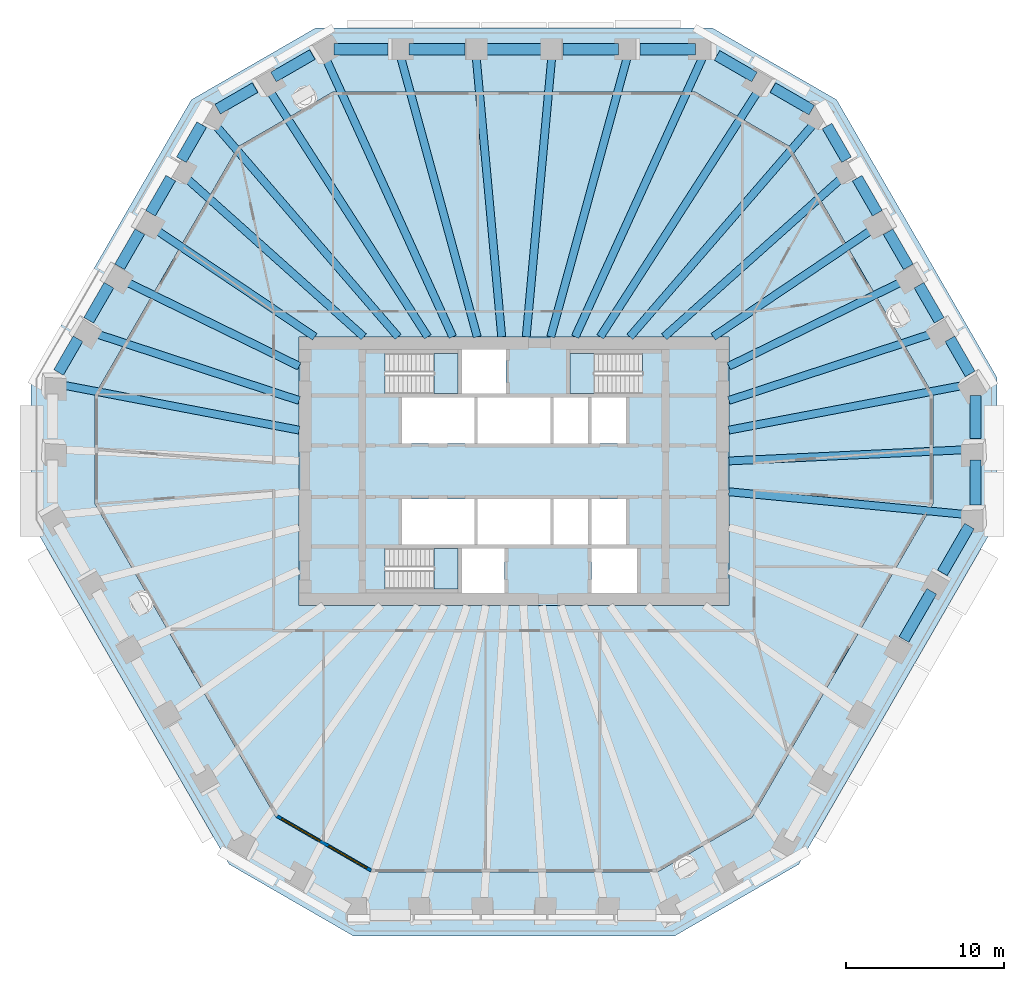
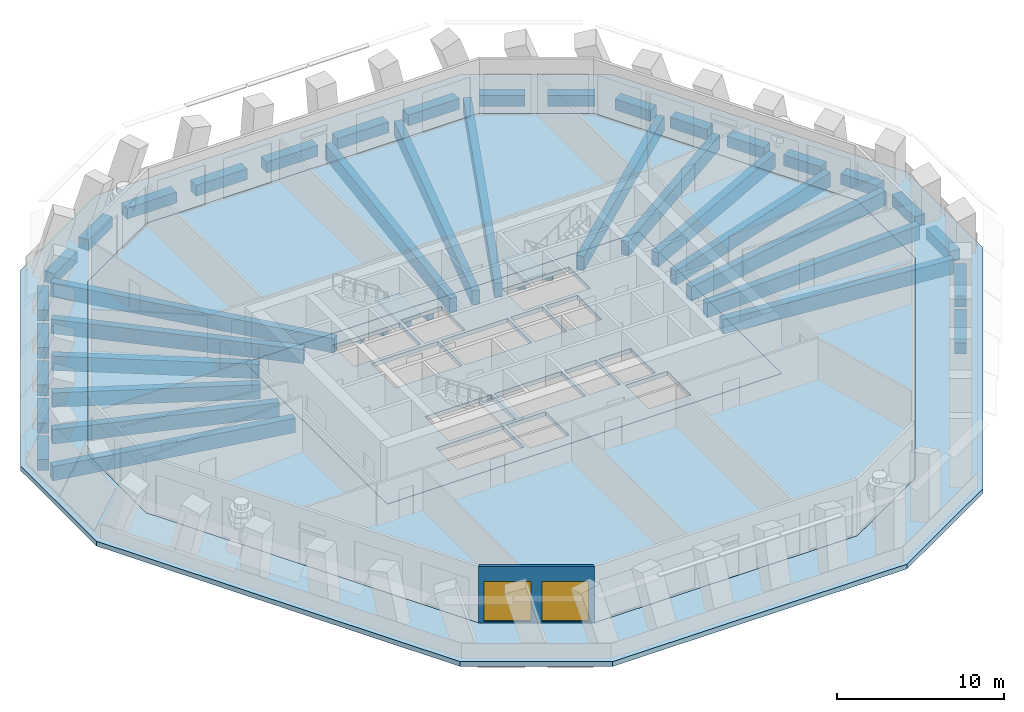
# One storey, part 2 of 12: 45 beams, 6 slabs, 2 windows, 1 wall, 2 openings, 3 elements without a shape of their own.
"""IFC4 building model written with IfcOpenShell, lengths in metres."""

import ifcopenshell
import ifcopenshell.guid

model = None  # the IFC model being written
_history = None  # IfcOwnerHistory: only IFC2X3 demands one
_inside = {}  # id of a spatial element -> (the spatial element, [elements in it])
_under = {}  # id of a project, library or spatial element -> (it, [spatial elements below it])
_declared = {}  # id of a project -> (the project, [libraries it declares])
_typed = {}  # id of a type object -> (the type object, [elements of that type])
_made_of = {}  # id of a material, layer set ... -> (it, [elements and type objects made of it])


def new_model(schema):
    """Start an empty IFC model of exactly this schema.

    Asked for "IFC4X3", IfcOpenShell would pick the latest addendum, in which some entities
    have other attributes; the version numbers below select the first issue.
    IFC2X3 requires an IfcOwnerHistory on every rooted entity: one is made here for all.
    """
    global model, _history
    if schema == "IFC4X3":
        model = ifcopenshell.file(schema_version=(4, 3, 0, 0))
    else:
        model = ifcopenshell.file(schema=schema)
    _inside.clear()
    _under.clear()
    _declared.clear()
    _typed.clear()
    _made_of.clear()
    _history = None
    if model.schema == "IFC2X3":
        org = make("IfcOrganization", Name="unknown")
        user = make(
            "IfcPersonAndOrganization",
            ThePerson=make("IfcPerson", FamilyName="unknown"),
            TheOrganization=org,
        )
        app = make(
            "IfcApplication",
            ApplicationDeveloper=org,
            Version="unknown",
            ApplicationFullName="unknown",
            ApplicationIdentifier="unknown",
        )
        _history = make(
            "IfcOwnerHistory",
            OwningUser=user,
            OwningApplication=app,
            ChangeAction="ADDED",
            CreationDate=0,
        )
    return model


def make(cls, **values):
    """One entity of the class cls with the attributes given. An attribute that is None is left unset."""
    return model.create_entity(
        cls, **{name: value for name, value in values.items() if value is not None}
    )


def rooted(cls, **values):
    """An entity with a GlobalId (a new one), such as an element, a storey or a relation."""
    return make(cls, GlobalId=ifcopenshell.guid.new(), OwnerHistory=_history, **values)


def si_unit(unit_type, name, prefix=None):
    """IfcSIUnit, for example si_unit("LENGTHUNIT", "METRE", prefix="MILLI")."""
    return make("IfcSIUnit", UnitType=unit_type, Prefix=prefix, Name=name)


def assignment(units):
    """IfcUnitAssignment: the units of a project."""
    return None if units is None else make("IfcUnitAssignment", Units=units)


def point(xyz):
    """IfcCartesianPoint."""
    return None if xyz is None else make("IfcCartesianPoint", Coordinates=xyz)


def direction(xyz):
    """IfcDirection."""
    return None if xyz is None else make("IfcDirection", DirectionRatios=xyz)


def frame(location, z_axis=None, x_axis=None):
    """IfcAxis2Placement3D, a coordinate frame: its origin and axes. An axis left out is left unset."""
    return make(
        "IfcAxis2Placement3D",
        Location=point(location),
        Axis=direction(z_axis),
        RefDirection=direction(x_axis),
    )


def frame_2d(location, x_axis=None):
    """IfcAxis2Placement2D, a coordinate frame in the plane: its origin and x axis."""
    return make(
        "IfcAxis2Placement2D", Location=point(location), RefDirection=direction(x_axis)
    )


def origin():
    """The frame at (0, 0, 0) with its axes left unset."""
    return frame((0.0, 0.0, 0.0))


def origin_2d():
    """The frame at (0, 0) in the plane with its x axis left unset."""
    return frame_2d((0.0, 0.0))


def place(relative_to, where):
    """IfcLocalPlacement: puts the frame where relative to a parent placement (None: the world)."""
    return make(
        "IfcLocalPlacement", PlacementRelTo=relative_to, RelativePlacement=where
    )


def context(
    kind, dimensions, precision=None, world=None, true_north=None, identifier=None
):
    """IfcGeometricRepresentationContext, for example the 3D "Model" context."""
    return make(
        "IfcGeometricRepresentationContext",
        ContextIdentifier=identifier,
        ContextType=kind,
        CoordinateSpaceDimension=dimensions,
        Precision=precision,
        WorldCoordinateSystem=world,
        TrueNorth=true_north,
    )


def subcontext(parent, identifier, kind, view, scale=None):
    """IfcGeometricRepresentationSubContext, for example "Body" below "Model"."""
    return make(
        "IfcGeometricRepresentationSubContext",
        ContextIdentifier=identifier,
        ContextType=kind,
        ParentContext=parent,
        TargetScale=scale,
        TargetView=view,
    )


def project(units=None, contexts=None):
    """IfcProject with its units and contexts."""
    return rooted(
        "IfcProject",
        Name="project",
        RepresentationContexts=contexts,
        UnitsInContext=assignment(units),
    )


def spatial(cls, under=None, at=None, **own):
    """A site, building, storey or space (cls), placed at a placement, below another one or the project."""
    s = rooted(cls, ObjectPlacement=at, **own)
    if under is not None:
        _under.setdefault(under.id(), (under, []))[1].append(s)
    return s


def polyline(points):
    """IfcPolyline through the points."""
    return make("IfcPolyline", Points=[point(p) for p in points])


def profile(cls, at=None, kind="AREA", **sizes):
    """A parametric profile (cls). Its sizes go by their IFC names, for example OverallWidth=200.0."""
    return make(cls, ProfileType=kind, Position=at, **sizes)


def rectangle(**sizes):
    """IfcRectangleProfileDef."""
    return profile("IfcRectangleProfileDef", **sizes)


def outline(outer, holes=None, kind="AREA"):
    """IfcArbitraryClosedProfileDef: a profile drawn as a closed curve; with holes, ...WithVoids."""
    if holes is None:
        return make("IfcArbitraryClosedProfileDef", ProfileType=kind, OuterCurve=outer)
    return make(
        "IfcArbitraryProfileDefWithVoids",
        ProfileType=kind,
        OuterCurve=outer,
        InnerCurves=holes,
    )


def extrude(swept, where, along, depth):
    """IfcExtrudedAreaSolid: the profile swept, set in the frame where, extruded along a direction by depth."""
    return make(
        "IfcExtrudedAreaSolid",
        SweptArea=swept,
        Position=where,
        ExtrudedDirection=direction(along),
        Depth=depth,
    )


def shape(context_of_items, identifier, shape_type, items):
    """IfcShapeRepresentation: the items that make up one representation, for example the "Body"."""
    return make(
        "IfcShapeRepresentation",
        ContextOfItems=context_of_items,
        RepresentationIdentifier=identifier,
        RepresentationType=shape_type,
        Items=items,
    )


def material(Name=None, Category=None):
    """IfcMaterial."""
    return make("IfcMaterial", Name=Name, Category=Category)


def layer(
    of_material, thickness, ventilated=None, Name=None, Category=None, Priority=None
):
    """IfcMaterialLayer: one layer of a wall or slab, of a material (None: an air gap)."""
    return make(
        "IfcMaterialLayer",
        Material=of_material,
        LayerThickness=thickness,
        IsVentilated=ventilated,
        Name=Name,
        Category=Category,
        Priority=Priority,
    )


def layer_set(layers, Name=None):
    """IfcMaterialLayerSet."""
    return make("IfcMaterialLayerSet", MaterialLayers=layers, LayerSetName=Name)


def material_profile(
    of_material, cross_section, Name=None, Category=None, Priority=None
):
    """IfcMaterialProfile: a cross section and its material."""
    return make(
        "IfcMaterialProfile",
        Name=Name,
        Material=of_material,
        Profile=cross_section,
        Priority=Priority,
        Category=Category,
    )


def profile_set(profiles, Name=None, composite=None):
    """IfcMaterialProfileSet."""
    return make(
        "IfcMaterialProfileSet",
        Name=Name,
        MaterialProfiles=profiles,
        CompositeProfile=composite,
    )


def made_of(thing, what):
    """Note that an element or type object is made of a material, layer set ...; save() writes the relation."""
    if what is not None:
        _made_of.setdefault(what.id(), (what, []))[1].append(thing)
    return thing


def type_object(cls, material=None, **own):
    """A type object (cls), such as IfcWallType, which elements share."""
    return made_of(rooted(cls, **own), material)


def element(
    cls,
    number,
    at=None,
    inside=None,
    cuts=None,
    type_object=None,
    material=None,
    context=None,
    identifier="Body",
    shape_type=None,
    held_by="IfcProductDefinitionShape",
    body=None,
    shapes=None,
    **own,
):
    """One element of the class cls, such as IfcWall. Its Tag is "e" and its number.

    at: its placement. inside: the storey or other place that contains it. cuts: it is an
    opening in that element (IfcRelVoidsElement). A single representation is given by context,
    identifier, shape_type and body (its items); several are given by shapes. held_by: the class
    of the entity that holds the representations. save() writes the other relations.
    """
    e = rooted(cls, Tag="e%d" % number, ObjectPlacement=at, **own)
    if body is not None:
        shapes = [shape(context, identifier, shape_type, body)]
    if shapes is not None:
        e.Representation = make(held_by, Representations=shapes)
    if inside is not None:
        _inside.setdefault(inside.id(), (inside, []))[1].append(e)
    if cuts is not None:
        rooted(
            "IfcRelVoidsElement", RelatingBuildingElement=cuts, RelatedOpeningElement=e
        )
    if type_object is not None:
        _typed.setdefault(type_object.id(), (type_object, []))[1].append(e)
    return made_of(e, material)


def fill(opening, filler):
    """IfcRelFillsElement: the door or window that sits in an opening."""
    return rooted(
        "IfcRelFillsElement",
        RelatingOpeningElement=opening,
        RelatedBuildingElement=filler,
    )


def aggregate(whole, parts):
    """IfcRelAggregates: a whole, such as a stair, and the parts it consists of."""
    return rooted("IfcRelAggregates", RelatingObject=whole, RelatedObjects=parts)


def save(model, path):
    """Write the relations noted so far, then the file.

    IfcRelAggregates (storeys below a building ...), IfcRelContainedInSpatialStructure (elements
    in a storey), IfcRelDefinesByType, IfcRelAssociatesMaterial and IfcRelDeclares: one each for
    every whole, place, type object, material and project.
    """
    for whole, parts in _under.values():
        aggregate(whole, parts)
    for where, things in _inside.values():
        rooted(
            "IfcRelContainedInSpatialStructure",
            RelatedElements=things,
            RelatingStructure=where,
        )
    for kind, things in _typed.values():
        rooted("IfcRelDefinesByType", RelatedObjects=things, RelatingType=kind)
    for what, things in _made_of.values():
        rooted("IfcRelAssociatesMaterial", RelatedObjects=things, RelatingMaterial=what)
    for by, libraries in _declared.values():
        rooted("IfcRelDeclares", RelatingContext=by, RelatedDefinitions=libraries)
    model.write(path)


model = new_model("IFC4")

# Units and contexts
model_context = context("Model", 3, precision=1e-05, world=origin(), true_north=direction((0.0, 1.0)))
body_context = subcontext(model_context, "Body", "Model", "MODEL_VIEW")
ifc_project = project(units=[si_unit("LENGTHUNIT", "METRE"), si_unit("AREAUNIT", "SQUARE_METRE"), si_unit("VOLUMEUNIT", "CUBIC_METRE"), si_unit("PLANEANGLEUNIT", "RADIAN"), si_unit("MASSUNIT", "GRAM", prefix="KILO")], contexts=[model_context])

# Site, building, storey
site_placement = place(None, origin())
site = spatial("IfcSite", under=ifc_project, at=site_placement, CompositionType="ELEMENT")
building_placement = place(site_placement, origin())
building = spatial("IfcBuilding", under=site, at=building_placement, Name="Frailejon Research Tower", CompositionType="ELEMENT")
storey_placement = place(building_placement, frame((0.0, 0.0, 135.199951171875)))
storey = spatial("IfcBuildingStorey", under=building, at=storey_placement, Name="L29", CompositionType="ELEMENT", Elevation=135.199951171875)

# Beams
ifc_material_1 = material(Name="Concrete C60/75", Category="concrete")
ifc_material_profile_1 = material_profile(ifc_material_1, rectangle(XDim=0.5, YDim=1.050048828125, at=origin_2d()), Name="Girder 500x1050")
ifc_profile_set_1 = profile_set([ifc_material_profile_1], Name="Concrete C60/75")
beam_type_1 = type_object("IfcBeamType", Name="Girder 500x1050", PredefinedType="BEAM", material=ifc_profile_set_1)
beam_1_placement = place(storey_placement, frame((28.685302734375, -2.75439453125, -0.824951171875), z_axis=(-0.995421682896, 0.095580715736, 0.0), x_axis=(-0.095580715736, -0.995421682896, 0.0)))
element("IfcBeam", 1, at=beam_1_placement, inside=storey, type_object=beam_type_1, Name="Girder 500x1050", PredefinedType="BEAM", context=body_context, shape_type="SweptSolid", body=[
    extrude(rectangle(XDim=0.5, YDim=1.050048828125, at=origin_2d()), origin(), (0.0, 0.0, 1.0), 15.154541015625),
])
beam_2_placement = place(storey_placement, frame((28.685791015625, 1.35791015625, -0.824951171875), z_axis=(-0.998881484069, -0.047284043646, 0.0), x_axis=(0.047284043646, -0.998881484069, 0.0)))
element("IfcBeam", 2, at=beam_2_placement, inside=storey, type_object=beam_type_1, Name="Girder 500x1050", PredefinedType="BEAM", context=body_context, shape_type="SweptSolid", body=[
    extrude(rectangle(XDim=0.5, YDim=1.050048828125, at=origin_2d()), origin(), (0.0, 0.0, 1.0), 15.1025390625),
])
beam_3_placement = place(storey_placement, frame((28.65625, 5.464599609375, -0.824951171875), z_axis=(-0.982299508461, -0.187317045881, 0.0), x_axis=(0.187317045881, -0.982299508461, 0.0)))
element("IfcBeam", 3, at=beam_3_placement, inside=storey, type_object=beam_type_1, Name="Girder 500x1050", PredefinedType="BEAM", context=body_context, shape_type="SweptSolid", body=[
    extrude(rectangle(XDim=0.5, YDim=1.050048828125, at=origin_2d()), origin(), (0.0, 0.0, 1.0), 15.327392578125),
])
beam_4_placement = place(storey_placement, frame((26.7421875, 8.790283203125, -0.824951171875), z_axis=(-0.949989871685, -0.312280712975, 0.0), x_axis=(0.312280712975, -0.949989871685, 0.0)))
element("IfcBeam", 4, at=beam_4_placement, inside=storey, type_object=beam_type_1, Name="Girder 500x1050", PredefinedType="BEAM", context=body_context, shape_type="SweptSolid", body=[
    extrude(rectangle(XDim=0.5, YDim=1.050048828125, at=origin_2d()), origin(), (0.0, 0.0, 1.0), 13.833984375),
])
beam_5_placement = place(storey_placement, frame((24.8251953125, 12.1162109375, -0.824951171875), z_axis=(-0.898678258454, -0.438608467522, 0.0), x_axis=(0.438608467522, -0.898678258454, 0.0)))
element("IfcBeam", 5, at=beam_5_placement, inside=storey, type_object=beam_type_1, Name="Girder 500x1050", PredefinedType="BEAM", context=body_context, shape_type="SweptSolid", body=[
    extrude(rectangle(XDim=0.5, YDim=1.050048828125, at=origin_2d()), origin(), (0.0, 0.0, 1.0), 12.49072265625),
])
beam_6_placement = place(storey_placement, frame((22.905517578125, 15.441162109375, -0.824951171875), z_axis=(-0.829186990789, -0.558971317964, 0.0), x_axis=(0.558971317964, -0.829186990789, 0.0)))
element("IfcBeam", 6, at=beam_6_placement, inside=storey, type_object=beam_type_1, Name="Girder 500x1050", PredefinedType="BEAM", context=body_context, shape_type="SweptSolid", body=[
    extrude(rectangle(XDim=0.5, YDim=1.050048828125, at=origin_2d()), origin(), (0.0, 0.0, 1.0), 12.417724609375),
])
beam_7_placement = place(storey_placement, frame((20.983642578125, 18.764404296875, -0.824951171875), z_axis=(-0.745422911023, -0.666591841926, 0.0), x_axis=(0.666591841926, -0.745422911023, 0.0)))
element("IfcBeam", 7, at=beam_7_placement, inside=storey, type_object=beam_type_1, Name="Girder 500x1050", PredefinedType="BEAM", context=body_context, shape_type="SweptSolid", body=[
    extrude(rectangle(XDim=0.5, YDim=1.050048828125, at=origin_2d()), origin(), (0.0, 0.0, 1.0), 15.3984375),
])
beam_8_placement = place(storey_placement, frame((19.07861328125, 22.105712890625, -0.824951171875), z_axis=(-0.65337403375, -0.757035251505, 0.0), x_axis=(0.757035251505, -0.65337403375, 0.0)))
element("IfcBeam", 8, at=beam_8_placement, inside=storey, type_object=beam_type_1, Name="Girder 500x1050", PredefinedType="BEAM", context=body_context, shape_type="SweptSolid", body=[
    extrude(rectangle(XDim=0.5, YDim=1.050048828125, at=origin_2d()), origin(), (0.0, 0.0, 1.0), 17.972412109375),
])
beam_9_placement = place(storey_placement, frame((15.51904296875, 24.163818359375, -0.824951171875), z_axis=(-0.540394975615, -0.84141147504, 0.0), x_axis=(0.84141147504, -0.540394975615, 0.0)))
element("IfcBeam", 9, at=beam_9_placement, inside=storey, type_object=beam_type_1, Name="Girder 500x1050", PredefinedType="BEAM", context=body_context, shape_type="SweptSolid", body=[
    extrude(rectangle(XDim=0.5, YDim=1.050048828125, at=origin_2d()), origin(), (0.0, 0.0, 1.0), 18.6162109375),
])
beam_10_placement = place(storey_placement, frame((11.930908203125, 26.16162109375, -0.824951171875), z_axis=(-0.41493120596, -0.90985278717, 0.0), x_axis=(0.90985278717, -0.41493120596, 0.0)))
element("IfcBeam", 10, at=beam_10_placement, inside=storey, type_object=beam_type_1, Name="Girder 500x1050", PredefinedType="BEAM", context=body_context, shape_type="SweptSolid", body=[
    extrude(rectangle(XDim=0.5, YDim=1.050048828125, at=origin_2d()), origin(), (0.0, 0.0, 1.0), 19.41162109375),
])
beam_11_placement = place(storey_placement, frame((7.160888671875, 26.169677734375, -0.824951171875), z_axis=(-0.263940506276, -0.964538961964, 0.0), x_axis=(0.964538961964, -0.263940506276, 0.0)))
element("IfcBeam", 11, at=beam_11_placement, inside=storey, type_object=beam_type_1, Name="Girder 500x1050", PredefinedType="BEAM", context=body_context, shape_type="SweptSolid", body=[
    extrude(rectangle(XDim=0.5, YDim=1.050048828125, at=origin_2d()), origin(), (0.0, 0.0, 1.0), 18.3193359375),
])
for number, where, z_axis, x_axis, name in (
    (12, (2.387451171875, 26.17431640625, -0.824951171875), (-0.090832176828, -0.995866213732, 0.0), (0.995866213732, -0.090832176828, 0.0), "Girder 500x1050"),
    (13, (-2.387451171875, 26.17431640625, -0.824951171875), (0.090832176828, -0.995866213732, 0.0), (0.995866213732, 0.090832176828, 0.0), "Girder 500x1050"),
):
    element("IfcBeam", number, at=place(storey_placement, frame(where, z_axis=z_axis, x_axis=x_axis)), inside=storey, type_object=beam_type_1, Name=name, PredefinedType="BEAM", context=body_context, shape_type="SweptSolid", body=[
        extrude(rectangle(XDim=0.5, YDim=1.050048828125, at=origin_2d()), origin(), (0.0, 0.0, 1.0), 17.747802734375),
    ])
beam_12_placement = place(storey_placement, frame((-7.160888671875, 26.169677734375, -0.824951171875), z_axis=(0.263940506276, -0.964538961964, 0.0), x_axis=(0.964538961964, 0.263940506276, 0.0)))
element("IfcBeam", 14, at=beam_12_placement, inside=storey, type_object=beam_type_1, Name="Girder 500x1050", PredefinedType="BEAM", context=body_context, shape_type="SweptSolid", body=[
    extrude(rectangle(XDim=0.5, YDim=1.050048828125, at=origin_2d()), origin(), (0.0, 0.0, 1.0), 18.3193359375),
])
beam_13_placement = place(storey_placement, frame((-11.95751953125, 26.219482421875, -0.824951171875), z_axis=(0.414940732798, -0.90984844247, 0.0), x_axis=(0.90984844247, 0.414940732798, 0.0)))
element("IfcBeam", 15, at=beam_13_placement, inside=storey, type_object=beam_type_1, Name="Girder 500x1050", PredefinedType="BEAM", context=body_context, shape_type="SweptSolid", body=[
    extrude(rectangle(XDim=0.5, YDim=1.050048828125, at=origin_2d()), origin(), (0.0, 0.0, 1.0), 19.47509765625),
])
beam_14_placement = place(storey_placement, frame((-15.51904296875, 24.163818359375, -0.824951171875), z_axis=(0.540394975615, -0.84141147504, 0.0), x_axis=(0.84141147504, 0.540394975615, 0.0)))
element("IfcBeam", 16, at=beam_14_placement, inside=storey, type_object=beam_type_1, Name="Girder 500x1050", PredefinedType="BEAM", context=body_context, shape_type="SweptSolid", body=[
    extrude(rectangle(XDim=0.5, YDim=1.050048828125, at=origin_2d()), origin(), (0.0, 0.0, 1.0), 18.6162109375),
])
beam_15_placement = place(storey_placement, frame((-19.060546875, 22.084716796875, -0.824951171875), z_axis=(0.653375780133, -0.757033744252, 0.0), x_axis=(0.757033744252, 0.653375780133, 0.0)))
element("IfcBeam", 17, at=beam_15_placement, inside=storey, type_object=beam_type_1, Name="Girder 500x1050", PredefinedType="BEAM", context=body_context, shape_type="SweptSolid", body=[
    extrude(rectangle(XDim=0.5, YDim=1.050048828125, at=origin_2d()), origin(), (0.0, 0.0, 1.0), 17.944580078125),
])
beam_16_placement = place(storey_placement, frame((-20.983642578125, 18.764404296875, -0.824951171875), z_axis=(0.745422911023, -0.666591841926, 0.0), x_axis=(0.666591841926, 0.745422911023, 0.0)))
element("IfcBeam", 18, at=beam_16_placement, inside=storey, type_object=beam_type_1, Name="Girder 500x1050", PredefinedType="BEAM", context=body_context, shape_type="SweptSolid", body=[
    extrude(rectangle(XDim=0.5, YDim=1.050048828125, at=origin_2d()), origin(), (0.0, 0.0, 1.0), 15.3984375),
])
beam_17_placement = place(storey_placement, frame((-22.905517578125, 15.441162109375, -0.824951171875), z_axis=(0.829186990789, -0.558971317964, 0.0), x_axis=(0.558971317964, 0.829186990789, 0.0)))
element("IfcBeam", 19, at=beam_17_placement, inside=storey, type_object=beam_type_1, Name="Girder 500x1050", PredefinedType="BEAM", context=body_context, shape_type="SweptSolid", body=[
    extrude(rectangle(XDim=0.5, YDim=1.050048828125, at=origin_2d()), origin(), (0.0, 0.0, 1.0), 12.417724609375),
])
beam_18_placement = place(storey_placement, frame((-24.8251953125, 12.1162109375, -0.824951171875), z_axis=(0.898678258454, -0.438608467522, 0.0), x_axis=(0.438608467522, 0.898678258454, 0.0)))
element("IfcBeam", 20, at=beam_18_placement, inside=storey, type_object=beam_type_1, Name="Girder 500x1050", PredefinedType="BEAM", context=body_context, shape_type="SweptSolid", body=[
    extrude(rectangle(XDim=0.5, YDim=1.050048828125, at=origin_2d()), origin(), (0.0, 0.0, 1.0), 12.49072265625),
])
beam_19_placement = place(storey_placement, frame((-26.7421875, 8.790283203125, -0.824951171875), z_axis=(0.949989871685, -0.312280712975, 0.0), x_axis=(0.312280712975, 0.949989871685, 0.0)))
element("IfcBeam", 21, at=beam_19_placement, inside=storey, type_object=beam_type_1, Name="Girder 500x1050", PredefinedType="BEAM", context=body_context, shape_type="SweptSolid", body=[
    extrude(rectangle(XDim=0.5, YDim=1.050048828125, at=origin_2d()), origin(), (0.0, 0.0, 1.0), 13.833984375),
])
beam_20_placement = place(storey_placement, frame((-28.683349609375, 5.4697265625, -0.824951171875), z_axis=(0.982299996606, -0.187314486007, 0.0), x_axis=(0.187314486007, 0.982299996606, 0.0)))
element("IfcBeam", 22, at=beam_20_placement, inside=storey, type_object=beam_type_1, Name="Girder 500x1050", PredefinedType="BEAM", context=body_context, shape_type="SweptSolid", body=[
    extrude(rectangle(XDim=0.5, YDim=1.050048828125, at=origin_2d()), origin(), (0.0, 0.0, 1.0), 15.35498046875),
])
ifc_material_2 = material(Name="Concrete C60/75", Category="concrete")
ifc_material_profile_2 = material_profile(ifc_material_2, rectangle(XDim=0.699951171875, YDim=0.800048828125, at=origin_2d()), Name="Spandrel 700x800")
ifc_profile_set_2 = profile_set([ifc_material_profile_2], Name="Concrete C60/75")
beam_type_2 = type_object("IfcBeamType", Name="Spandrel 700x800", PredefinedType="BEAM", material=ifc_profile_set_2)
beam_21_placement = place(storey_placement, frame((29.211181640625, -2.1298828125, -0.75), z_axis=(0.0, 1.0, 0.0), x_axis=(-1.0, 0.0, 0.0)))
element("IfcBeam", 23, at=beam_21_placement, inside=storey, type_object=beam_type_2, Name="Spandrel 700x800", PredefinedType="BEAM", context=body_context, shape_type="SweptSolid", body=[
    extrude(rectangle(XDim=0.699951171875, YDim=0.800048828125, at=origin_2d()), origin(), (0.0, 0.0, 1.0), 2.837646484375),
])
beam_22_placement = place(storey_placement, frame((29.211181640625, 2.057861328125, -0.75), z_axis=(0.0, 1.0, 0.0), x_axis=(-1.0, 0.0, 0.0)))
element("IfcBeam", 24, at=beam_22_placement, inside=storey, type_object=beam_type_2, Name="Spandrel 700x800", PredefinedType="BEAM", context=body_context, shape_type="SweptSolid", body=[
    extrude(rectangle(XDim=0.699951171875, YDim=0.800048828125, at=origin_2d()), origin(), (0.0, 0.0, 1.0), 2.733154296875),
])
beam_23_placement = place(storey_placement, frame((28.87353515625, 6.15478515625, -0.75), z_axis=(-0.499991857942, 0.866030104553, 0.0), x_axis=(-0.866030104553, -0.499991857942, 0.0)))
element("IfcBeam", 25, at=beam_23_placement, inside=storey, type_object=beam_type_2, Name="Spandrel 700x800", PredefinedType="BEAM", context=body_context, shape_type="SweptSolid", body=[
    extrude(rectangle(XDim=0.699951171875, YDim=0.800048828125, at=origin_2d()), origin(), (0.0, 0.0, 1.0), 2.5625),
])
beam_24_placement = place(storey_placement, frame((26.917236328125, 9.543212890625, -0.75), z_axis=(-0.499950606877, 0.866053919039, 0.0), x_axis=(-0.866053919039, -0.499950606877, 0.0)))
element("IfcBeam", 26, at=beam_24_placement, inside=storey, type_object=beam_type_2, Name="Spandrel 700x800", PredefinedType="BEAM", context=body_context, shape_type="SweptSolid", body=[
    extrude(rectangle(XDim=0.699951171875, YDim=0.800048828125, at=origin_2d()), origin(), (0.0, 0.0, 1.0), 2.562744140625),
])
for number, where, z_axis, x_axis, name in (
    (27, (24.9609375, 12.931884765625, -0.75), (-0.50003311468, 0.866006284171, 0.0), (-0.866006284171, -0.50003311468, 0.0), "Spandrel 700x800"),
    (28, (23.004638671875, 16.3203125, -0.75), (-0.50003311468, 0.866006284171, 0.0), (-0.866006284171, -0.50003311468, 0.0), "Spandrel 700x800"),
):
    element("IfcBeam", number, at=place(storey_placement, frame(where, z_axis=z_axis, x_axis=x_axis)), inside=storey, type_object=beam_type_2, Name=name, PredefinedType="BEAM", context=body_context, shape_type="SweptSolid", body=[
        extrude(rectangle(XDim=0.699951171875, YDim=0.800048828125, at=origin_2d()), origin(), (0.0, 0.0, 1.0), 2.562255859375),
    ])
beam_25_placement = place(storey_placement, frame((21.04833984375, 19.70849609375, -0.75), z_axis=(-0.499963176624, 0.866046662726, 0.0), x_axis=(-0.866046662726, -0.499963176624, 0.0)))
element("IfcBeam", 29, at=beam_25_placement, inside=storey, type_object=beam_type_2, Name="Spandrel 700x800", PredefinedType="BEAM", context=body_context, shape_type="SweptSolid", body=[
    extrude(rectangle(XDim=0.699951171875, YDim=0.800048828125, at=origin_2d()), origin(), (0.0, 0.0, 1.0), 2.458251953125),
])
beam_26_placement = place(storey_placement, frame((18.844970703125, 22.849853515625, -0.75), z_axis=(-0.865989280058, 0.500062562911, 0.0), x_axis=(-0.500062562911, -0.865989280058, 0.0)))
element("IfcBeam", 30, at=beam_26_placement, inside=storey, type_object=beam_type_2, Name="Spandrel 700x800", PredefinedType="BEAM", context=body_context, shape_type="SweptSolid", body=[
    extrude(rectangle(XDim=0.699951171875, YDim=0.800048828125, at=origin_2d()), origin(), (0.0, 0.0, 1.0), 2.837646484375),
])
beam_27_placement = place(storey_placement, frame((15.218505859375, 24.943603515625, -0.75), z_axis=(-0.866002615699, 0.500039468044, 0.0), x_axis=(-0.500039468044, -0.866002615699, 0.0)))
element("IfcBeam", 31, at=beam_27_placement, inside=storey, type_object=beam_type_2, Name="Spandrel 700x800", PredefinedType="BEAM", context=body_context, shape_type="SweptSolid", body=[
    extrude(rectangle(XDim=0.699951171875, YDim=0.800048828125, at=origin_2d()), origin(), (0.0, 0.0, 1.0), 2.733154296875),
])
for number, where, z_axis, x_axis, name in (
    (32, (11.50146484375, 26.699951171875, -0.75), (-1.0, 0.0, 0.0), (0.0, -1.0, 0.0), "Spandrel 700x800"),
    (33, (6.630859375, 26.699951171875, -0.75), (-1.0, 0.0, 0.0), (0.0, -1.0, 0.0), "Spandrel 700x800"),
    (34, (1.76025390625, 26.699951171875, -0.75), (-1.0, 0.0, 0.0), (0.0, -1.0, 0.0), "Spandrel 700x800"),
    (35, (-3.1103515625, 26.699951171875, -0.75), (-1.0, 0.0, 0.0), (0.0, -1.0, 0.0), "Spandrel 700x800"),
):
    element("IfcBeam", number, at=place(storey_placement, frame(where, z_axis=z_axis, x_axis=x_axis)), inside=storey, type_object=beam_type_2, Name=name, PredefinedType="BEAM", context=body_context, shape_type="SweptSolid", body=[
        extrude(rectangle(XDim=0.699951171875, YDim=0.800048828125, at=origin_2d()), origin(), (0.0, 0.0, 1.0), 3.5205078125),
    ])
beam_28_placement = place(storey_placement, frame((-7.98095703125, 26.699951171875, -0.75), z_axis=(-1.0, 0.0, 0.0), x_axis=(0.0, -1.0, 0.0)))
element("IfcBeam", 36, at=beam_28_placement, inside=storey, type_object=beam_type_2, Name="Spandrel 700x800", PredefinedType="BEAM", context=body_context, shape_type="SweptSolid", body=[
    extrude(rectangle(XDim=0.699951171875, YDim=0.800048828125, at=origin_2d()), origin(), (0.0, 0.0, 1.0), 3.416259765625),
])
beam_29_placement = place(storey_placement, frame((-12.760986328125, 26.362548828125, -0.75), z_axis=(-0.866010792954, -0.500025305846, 0.0), x_axis=(0.500025305846, -0.866010792954, 0.0)))
element("IfcBeam", 37, at=beam_29_placement, inside=storey, type_object=beam_type_2, Name="Spandrel 700x800", PredefinedType="BEAM", context=body_context, shape_type="SweptSolid", body=[
    extrude(rectangle(XDim=0.699951171875, YDim=0.800048828125, at=origin_2d()), origin(), (0.0, 0.0, 1.0), 2.837646484375),
])
beam_30_placement = place(storey_placement, frame((-16.3876953125, 24.268798828125, -0.75), z_axis=(-0.866002615699, -0.500039468044, 0.0), x_axis=(0.500039468044, -0.866002615699, 0.0)))
element("IfcBeam", 38, at=beam_30_placement, inside=storey, type_object=beam_type_2, Name="Spandrel 700x800", PredefinedType="BEAM", context=body_context, shape_type="SweptSolid", body=[
    extrude(rectangle(XDim=0.699951171875, YDim=0.800048828125, at=origin_2d()), origin(), (0.0, 0.0, 1.0), 2.733154296875),
])
beam_31_placement = place(storey_placement, frame((-19.76708984375, 21.927734375, -0.75), z_axis=(-0.499991857942, -0.866030104553, 0.0), x_axis=(0.866030104553, -0.499991857942, 0.0)))
element("IfcBeam", 39, at=beam_31_placement, inside=storey, type_object=beam_type_2, Name="Spandrel 700x800", PredefinedType="BEAM", context=body_context, shape_type="SweptSolid", body=[
    extrude(rectangle(XDim=0.699951171875, YDim=0.800048828125, at=origin_2d()), origin(), (0.0, 0.0, 1.0), 2.5625),
])
for number, where, z_axis, x_axis, name in (
    (40, (-21.723388671875, 18.539306640625, -0.75), (-0.50003311468, -0.866006284171, 0.0), (0.866006284171, -0.50003311468, 0.0), "Spandrel 700x800"),
    (41, (-23.6796875, 15.15087890625, -0.75), (-0.50003311468, -0.866006284171, 0.0), (0.866006284171, -0.50003311468, 0.0), "Spandrel 700x800"),
):
    element("IfcBeam", number, at=place(storey_placement, frame(where, z_axis=z_axis, x_axis=x_axis)), inside=storey, type_object=beam_type_2, Name=name, PredefinedType="BEAM", context=body_context, shape_type="SweptSolid", body=[
        extrude(rectangle(XDim=0.699951171875, YDim=0.800048828125, at=origin_2d()), origin(), (0.0, 0.0, 1.0), 2.562255859375),
    ])
beam_32_placement = place(storey_placement, frame((-25.635986328125, 11.7626953125, -0.75), z_axis=(-0.499950606877, -0.866053919039, 0.0), x_axis=(0.866053919039, -0.499950606877, 0.0)))
element("IfcBeam", 42, at=beam_32_placement, inside=storey, type_object=beam_type_2, Name="Spandrel 700x800", PredefinedType="BEAM", context=body_context, shape_type="SweptSolid", body=[
    extrude(rectangle(XDim=0.699951171875, YDim=0.800048828125, at=origin_2d()), origin(), (0.0, 0.0, 1.0), 2.562744140625),
])
beam_33_placement = place(storey_placement, frame((-27.59228515625, 8.3740234375, -0.75), z_axis=(-0.500006183238, -0.866021833861, 0.0), x_axis=(0.866021833861, -0.500006183238, 0.0)))
element("IfcBeam", 43, at=beam_33_placement, inside=storey, type_object=beam_type_2, Name="Spandrel 700x800", PredefinedType="BEAM", context=body_context, shape_type="SweptSolid", body=[
    extrude(rectangle(XDim=0.699951171875, YDim=0.800048828125, at=origin_2d()), origin(), (0.0, 0.0, 1.0), 2.4580078125),
])
beam_34_placement = place(storey_placement, frame((24.677978515625, -10.656494140625, -0.75), z_axis=(0.499972564782, 0.866041242935, 0.0), x_axis=(-0.866041242935, 0.499972564782, 0.0)))
element("IfcBeam", 44, at=beam_34_placement, inside=storey, type_object=beam_type_2, Name="Spandrel 700x800", PredefinedType="BEAM", context=body_context, shape_type="SweptSolid", body=[
    extrude(rectangle(XDim=0.699951171875, YDim=0.800048828125, at=origin_2d()), origin(), (0.0, 0.0, 1.0), 3.520751953125),
])
beam_35_placement = place(storey_placement, frame((27.11328125, -6.438232421875, -0.75), z_axis=(0.499982281718, 0.866035633198, 0.0), x_axis=(-0.866035633198, 0.499982281718, 0.0)))
element("IfcBeam", 45, at=beam_35_placement, inside=storey, type_object=beam_type_2, Name="Spandrel 700x800", PredefinedType="BEAM", context=body_context, shape_type="SweptSolid", body=[
    extrude(rectangle(XDim=0.699951171875, YDim=0.800048828125, at=origin_2d()), origin(), (0.0, 0.0, 1.0), 3.416015625),
])

# Slabs
ifc_material_3 = material(Name="Concrete C60/75", Category="concrete")
ifc_layer_1 = layer(ifc_material_3, 0.300048828125)
ifc_layer_set_1 = layer_set([ifc_layer_1], Name="Core floor slab 300 C60/75")
slab_type_1 = type_object("IfcSlabType", Name="Core floor slab 300 C60/75", PredefinedType="FLOOR", material=ifc_layer_set_1)
slab_1_placement = place(storey_placement, frame((0.0, 0.0, -0.300048828125)))
element("IfcSlab", 46, at=slab_1_placement, inside=storey, type_object=slab_type_1, Name="Core floor slab", PredefinedType="FLOOR", context=body_context, shape_type="SweptSolid", body=[
    extrude(outline(polyline([(13.60009765625, -8.5), (13.60009765625, 8.5), (-13.60009765625, 8.5), (-13.60009765625, -8.5), (13.60009765625, -8.5)]), holes=[polyline([(-2.5, 1.75), (-2.5, 4.64990234375), (-7.10009765625, 4.64990234375), (-7.10009765625, 1.75), (-2.5, 1.75)]), polyline([(2.300048828125, 1.75), (2.300048828125, 4.64990234375), (-2.300048828125, 4.64990234375), (-2.300048828125, 1.75), (2.300048828125, 1.75)]), polyline([(4.699951171875, 1.75), (4.699951171875, 4.64990234375), (2.5, 4.64990234375), (2.5, 1.75), (4.699951171875, 1.75)]), polyline([(7.10009765625, 1.75), (7.10009765625, 4.64990234375), (4.89990234375, 4.64990234375), (4.89990234375, 1.75), (7.10009765625, 1.75)]), polyline([(-2.5, -4.64990234375), (-2.5, -1.75), (-7.10009765625, -1.75), (-7.10009765625, -4.64990234375), (-2.5, -4.64990234375)]), polyline([(2.300048828125, -4.64990234375), (2.300048828125, -1.75), (-2.300048828125, -1.75), (-2.300048828125, -4.64990234375), (2.300048828125, -4.64990234375)]), polyline([(4.699951171875, -4.64990234375), (4.699951171875, -1.75), (2.5, -1.75), (2.5, -4.64990234375), (4.699951171875, -4.64990234375)]), polyline([(7.10009765625, -4.64990234375), (7.10009765625, -1.75), (4.89990234375, -1.75), (4.89990234375, -4.64990234375), (7.10009765625, -4.64990234375)]), polyline([(-8.14697265625, 4.89990234375), (-3.550048828125, 4.89990234375), (-3.550048828125, 7.449951171875), (-8.14697265625, 7.449951171875), (-8.14697265625, 4.89990234375)]), polyline([(-8.14697265625, -7.449951171875), (-3.550048828125, -7.449951171875), (-3.550048828125, -4.89990234375), (-8.14697265625, -4.89990234375), (-8.14697265625, -7.449951171875)]), polyline([(8.14697265625, 7.449951171875), (3.550048828125, 7.449951171875), (3.550048828125, 4.89990234375), (8.14697265625, 4.89990234375), (8.14697265625, 7.449951171875)]), polyline([(-0.60009765625, -7.699951171875), (-0.60009765625, -4.89990234375), (-3.300048828125, -4.89990234375), (-3.300048828125, -7.699951171875), (-0.60009765625, -7.699951171875)]), polyline([(7.800048828125, -7.699951171875), (7.800048828125, -4.89990234375), (4.89990234375, -4.89990234375), (4.89990234375, -7.699951171875), (7.800048828125, -7.699951171875)]), polyline([(-0.5, 4.89990234375), (-0.5, 7.699951171875), (-3.300048828125, 7.699951171875), (-3.300048828125, 4.89990234375), (-0.5, 4.89990234375)])]), origin(), (0.0, 0.0, 1.0), 0.300048828125),
])
ifc_material_4 = material(Name="Concrete C40/50", Category="concrete")
ifc_layer_2 = layer(ifc_material_4, 0.35009765625)
ifc_layer_set_2 = layer_set([ifc_layer_2], Name="Loggia slab 350")
slab_type_2 = type_object("IfcSlabType", Name="Loggia slab 350", PredefinedType="USERDEFINED", material=ifc_layer_set_2)
slab_2_placement = place(storey_placement, frame((0.0, 0.0, -0.349853515625)))
element("IfcSlab", 47, at=slab_2_placement, inside=storey, type_object=slab_type_2, Name="Loggia slab L29", ObjectType="LOGGIA", PredefinedType="USERDEFINED", context=body_context, shape_type="SweptSolid", body=[
    extrude(outline(polyline([(18.02294921875, -24.883544921875), (10.143310546875, -29.432861328125), (-10.143310546875, -29.432861328125), (-18.02294921875, -24.883544921875), (-30.56103515625, -3.16650390625), (-30.56103515625, 5.93212890625), (-20.41796875, 23.500732421875), (-12.538330078125, 28.050048828125), (12.538330078125, 28.050048828125), (20.41796875, 23.500732421875), (30.56103515625, 5.93212890625), (30.56103515625, -3.16650390625), (18.02294921875, -24.883544921875)]), holes=[polyline([(26.510986328125, 4.846923828125), (17.453125, 20.535888671875), (11.453125, 24.0), (-11.453125, 24.0), (-17.453125, 20.535888671875), (-26.510986328125, 4.846923828125), (-26.510986328125, -2.081298828125), (-15.05810546875, -21.918701171875), (-9.05810546875, -25.3828125), (9.05810546875, -25.3828125), (15.05810546875, -21.918701171875), (26.510986328125, -2.081298828125), (26.510986328125, 4.846923828125)])]), origin(), (0.0, 0.0, 1.0), 0.349853515625),
])
ifc_material_5 = material(Name="Concrete C40/50", Category="concrete")
ifc_layer_3 = layer(ifc_material_5, 0.300048828125)
ifc_layer_set_3 = layer_set([ifc_layer_3], Name="Slab typical 300")
slab_type_3 = type_object("IfcSlabType", Name="Slab typical 300", PredefinedType="FLOOR", material=ifc_layer_set_3)
slab_3_placement = place(storey_placement, frame((0.0, 0.0, -0.300048828125)))
element("IfcSlab", 48, at=slab_3_placement, inside=storey, type_object=slab_type_3, Name="Floor slab L29", PredefinedType="FLOOR", context=body_context, shape_type="SweptSolid", body=[
    extrude(outline(polyline([(26.510986328125, -2.081298828125), (26.510986328125, 4.846923828125), (17.453125, 20.535888671875), (11.453125, 24.0), (-11.453125, 24.0), (-17.453125, 20.535888671875), (-26.510986328125, 4.846923828125), (-26.510986328125, -2.081298828125), (-15.05810546875, -21.918701171875), (-9.05810546875, -25.3828125), (9.05810546875, -25.3828125), (15.05810546875, -21.918701171875), (26.510986328125, -2.081298828125)]), holes=[polyline([(13.60009765625, -8.5), (-13.60009765625, -8.5), (-13.60009765625, 8.5), (13.60009765625, 8.5), (13.60009765625, -8.5)])]), origin(), (0.0, 0.0, 1.0), 0.300048828125),
])

# Stair, slab
ifc_material_6 = material(Name="Concrete C50/60", Category="concrete")
stair_type = type_object("IfcStairType", Name="Exit stair 24 risers", PredefinedType="HALF_TURN_STAIR", material=ifc_material_6)
stair_1_placement = place(storey_placement, origin())
stair_1 = element("IfcStair", 49, at=stair_1_placement, inside=storey, type_object=stair_type, Name="L29 Exit stair ST1", PredefinedType="HALF_TURN_STAIR")
ifc_material_7 = material(Name="Concrete C50/60", Category="concrete")
ifc_layer_4 = layer(ifc_material_7, 0.199951171875)
ifc_layer_set_4 = layer_set([ifc_layer_4], Name="Stair landing slab 200")
slab_type_4 = type_object("IfcSlabType", Name="Stair landing slab 200", PredefinedType="LANDING", material=ifc_layer_set_4)
slab_4_placement = place(storey_placement, frame((0.0, 0.0, 2.0)))
slab_4 = element("IfcSlab", 50, at=slab_4_placement, type_object=slab_type_4, Name="ST1 landing 1", PredefinedType="LANDING", context=body_context, shape_type="SweptSolid", body=[
    extrude(outline(polyline([(-5.070068359375, 4.89990234375), (-3.550048828125, 4.89990234375), (-3.550048828125, 7.449951171875), (-5.070068359375, 7.449951171875), (-5.070068359375, 4.89990234375)])), origin(), (0.0, 0.0, 1.0), 0.199951171875),
])
aggregate(stair_1, [slab_4])

stair_2_placement = place(storey_placement, origin())
stair_2 = element("IfcStair", 51, at=stair_2_placement, inside=storey, type_object=stair_type, Name="L29 Exit stair ST2", PredefinedType="HALF_TURN_STAIR")
slab_5_placement = place(storey_placement, frame((0.0, 0.0, 2.0)))
slab_5 = element("IfcSlab", 52, at=slab_5_placement, type_object=slab_type_4, Name="ST2 landing 1", PredefinedType="LANDING", context=body_context, shape_type="SweptSolid", body=[
    extrude(outline(polyline([(-5.070068359375, -7.449951171875), (-3.550048828125, -7.449951171875), (-3.550048828125, -4.89990234375), (-5.070068359375, -4.89990234375), (-5.070068359375, -7.449951171875)])), origin(), (0.0, 0.0, 1.0), 0.199951171875),
])
aggregate(stair_2, [slab_5])

stair_3_placement = place(storey_placement, origin())
stair_3 = element("IfcStair", 53, at=stair_3_placement, inside=storey, type_object=stair_type, Name="L29 Exit stair ST3", PredefinedType="HALF_TURN_STAIR")
slab_6_placement = place(storey_placement, frame((0.0, 0.0, 2.0)))
slab_6 = element("IfcSlab", 54, at=slab_6_placement, type_object=slab_type_4, Name="ST3 landing 1", PredefinedType="LANDING", context=body_context, shape_type="SweptSolid", body=[
    extrude(outline(polyline([(5.070068359375, 7.449951171875), (3.550048828125, 7.449951171875), (3.550048828125, 4.89990234375), (5.070068359375, 4.89990234375), (5.070068359375, 7.449951171875)])), origin(), (0.0, 0.0, 1.0), 0.199951171875),
])
aggregate(stair_3, [slab_6])

# Wall, openings, windows
ifc_material_8 = material(Name="Concrete C40/50 precast window wall panel", Category="concrete")
ifc_layer_5 = layer(ifc_material_8, 0.199951171875)
ifc_layer_set_5 = layer_set([ifc_layer_5], Name="Window wall 200")
wall_type = type_object("IfcWallType", Name="Window wall 200", PredefinedType="SOLIDWALL", material=ifc_layer_set_5)
wall_placement = place(storey_placement, frame((-14.98486328125, -21.845458984375, 0.0), z_axis=(0.0, 0.0, 1.0), x_axis=(0.866029458321, -0.49999297727, 0.0)))
wall = element("IfcWall", 55, at=wall_placement, inside=storey, type_object=wall_type, Name="Exterior wall L29", PredefinedType="SOLIDWALL", context=body_context, shape_type="SweptSolid", body=[
    extrude(outline(polyline([(-0.02685546875, -0.10009765625), (1.1279296875, -0.10009765625), (2.282470703125, -0.10009765625), (3.437255859375, -0.10009765625), (4.592041015625, -0.10009765625), (5.74658203125, -0.10009765625), (6.9013671875, -0.10009765625), (6.84765625, 0.10009765625), (5.7109375, 0.10009765625), (4.573974609375, 0.10009765625), (3.437255859375, 0.10009765625), (2.300537109375, 0.10009765625), (1.16357421875, 0.10009765625), (0.02685546875, 0.10009765625), (-0.02685546875, -0.10009765625)])), origin(), (0.0, 0.0, 1.0), 4.10009765625),
])
opening_1_placement = place(wall_placement, frame((0.318603515625, 0.0, 0.10009765625)))
opening_1 = element("IfcOpeningElement", 56, at=opening_1_placement, cuts=wall, Name="Opening W3", PredefinedType="OPENING", context=body_context, shape_type="SweptSolid", body=[
    extrude(rectangle(XDim=2.800048828125, YDim=2.89990234375, at=frame_2d((1.39990234375, 1.449951171875))), frame((0.0, 0.10986328125, 0.0), z_axis=(0.0, -1.0, 0.0), x_axis=(1.0, 0.0, 0.0)), (0.0, 0.0, 1.0), 0.219970703125),
])
opening_2_placement = place(wall_placement, frame((3.756103515625, 0.0, 0.10009765625)))
opening_2 = element("IfcOpeningElement", 57, at=opening_2_placement, cuts=wall, Name="Opening W3", PredefinedType="OPENING", context=body_context, shape_type="SweptSolid", body=[
    extrude(rectangle(XDim=2.800048828125, YDim=2.89990234375, at=frame_2d((1.39990234375, 1.449951171875))), frame((0.0, 0.10986328125, 0.0), z_axis=(0.0, -1.0, 0.0), x_axis=(1.0, 0.0, 0.0)), (0.0, 0.0, 1.0), 0.219970703125),
])
ifc_material_9 = material(Name="Aluminium framed double glazing", Category="aluminium")
window_type = type_object("IfcWindowType", Name="Window 2800x2900", PartitioningType="SINGLE_PANEL", PredefinedType="WINDOW", material=ifc_material_9)
window_1_placement = place(opening_1_placement, origin())
window_1 = element("IfcWindow", 58, at=window_1_placement, inside=storey, type_object=window_type, Name="Window L29", OverallHeight=2.89990234375, OverallWidth=2.800048828125, PartitioningType="SINGLE_PANEL", PredefinedType="WINDOW", context=body_context, shape_type="SweptSolid", body=[
    extrude(rectangle(XDim=2.800048828125, YDim=2.89990234375, at=frame_2d((1.39990234375, 1.449951171875))), frame((0.0, 0.030029296875, 0.0), z_axis=(0.0, -1.0, 0.0), x_axis=(1.0, 0.0, 0.0)), (0.0, 0.0, 1.0), 0.06005859375),
])
fill(opening_1, window_1)
window_2_placement = place(opening_2_placement, origin())
window_2 = element("IfcWindow", 59, at=window_2_placement, inside=storey, type_object=window_type, Name="Window L29", OverallHeight=2.89990234375, OverallWidth=2.800048828125, PartitioningType="SINGLE_PANEL", PredefinedType="WINDOW", context=body_context, shape_type="SweptSolid", body=[
    extrude(rectangle(XDim=2.800048828125, YDim=2.89990234375, at=frame_2d((1.39990234375, 1.449951171875))), frame((0.0, 0.030029296875, 0.0), z_axis=(0.0, -1.0, 0.0), x_axis=(1.0, 0.0, 0.0)), (0.0, 0.0, 1.0), 0.06005859375),
])
fill(opening_2, window_2)

save(model, "model.ifc")
